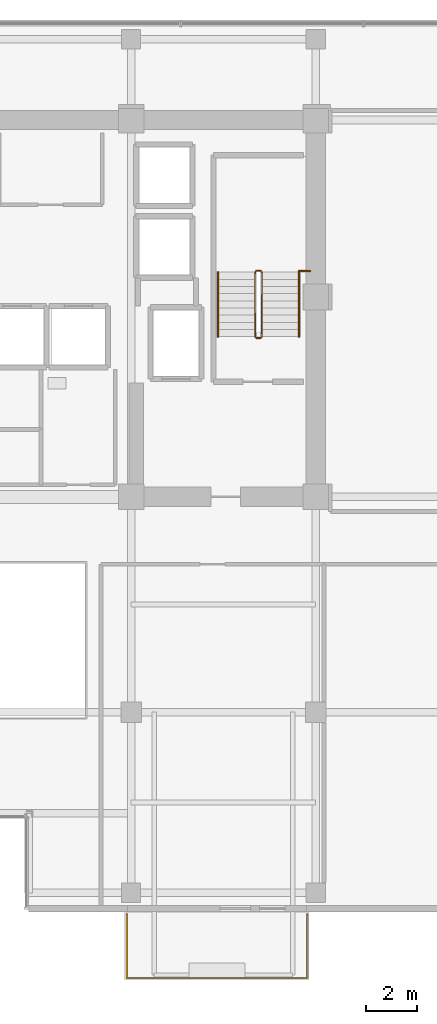
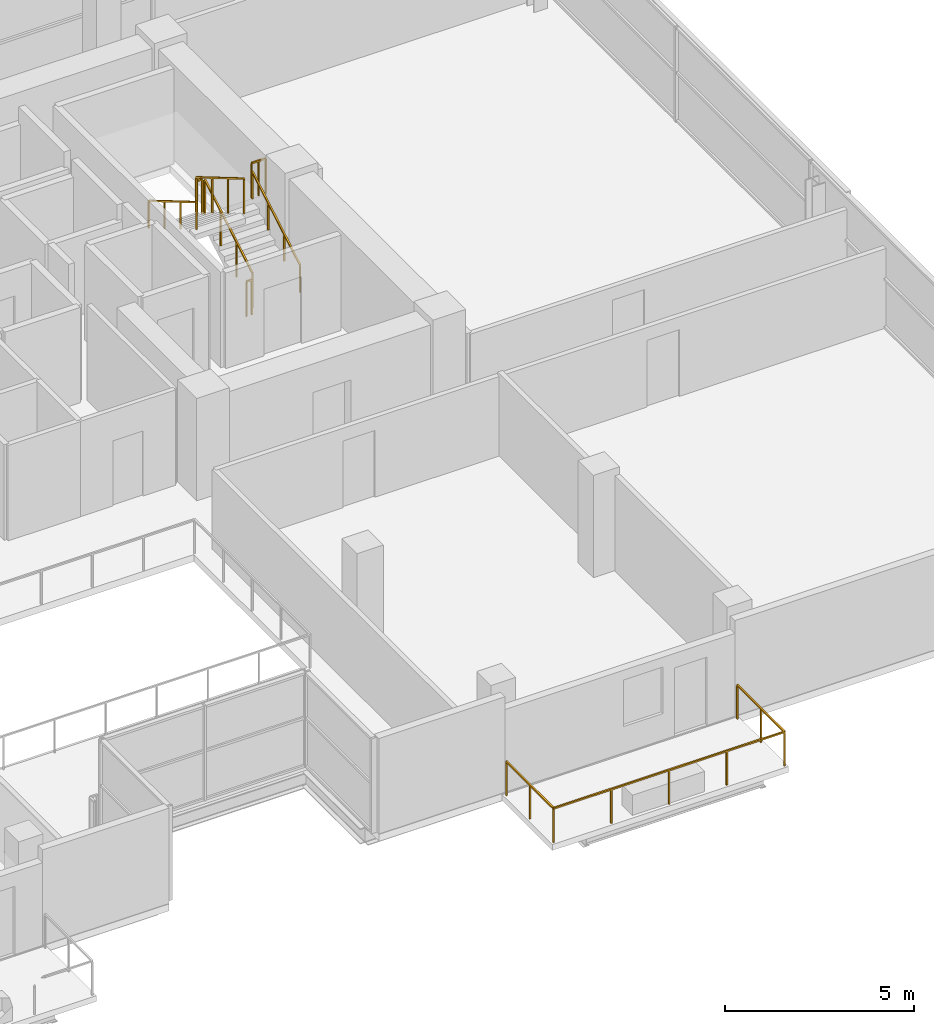
# One storey, part 21 of 22: 8 railings.
"""IFC4 building model written with IfcOpenShell, lengths in metres."""

from ifc_helpers import new_model, si_unit, direction, frame, origin, origin_2d, place, context, subcontext, project, spatial, rectangle, extrude, material, type_object, element, save


model = new_model("IFC4")

# Units and contexts
model_context = context("Model", 3, precision=1e-05, world=origin(), true_north=direction((0.0, 1.0)))
body_context = subcontext(model_context, "Body", "Model", "MODEL_VIEW")
ifc_project = project(units=[si_unit("LENGTHUNIT", "METRE"), si_unit("AREAUNIT", "SQUARE_METRE"), si_unit("VOLUMEUNIT", "CUBIC_METRE"), si_unit("PLANEANGLEUNIT", "RADIAN"), si_unit("MASSUNIT", "GRAM", prefix="KILO")], contexts=[model_context])

# Site, building, storey
site_placement = place(None, origin())
site = spatial("IfcSite", under=ifc_project, at=site_placement, CompositionType="ELEMENT")
building_placement = place(site_placement, origin())
building = spatial("IfcBuilding", under=site, at=building_placement, Name="Zarnakvel Exchange Tower", CompositionType="ELEMENT")
storey_placement = place(building_placement, frame((0.0, 0.0, 179.199951171875)))
storey = spatial("IfcBuildingStorey", under=building, at=storey_placement, Name="L50", CompositionType="ELEMENT", Elevation=179.199951171875)

# Railings
ifc_material_1 = material(Name="Architectural Bronze Anodised Aluminium", Category="aluminium")
railing_type_1 = type_object("IfcRailingType", Name="GR-02", PredefinedType="GUARDRAIL", material=ifc_material_1)
railing_1_placement = place(storey_placement, frame((7.030029296875, -17.47998046875, -0.034912109375)))
element("IfcRailing", 1, at=railing_1_placement, inside=storey, type_object=railing_type_1, Name="L50 Balcony Guardrail BAL-L50-SE", PredefinedType="GUARDRAIL", context=body_context, shape_type="SweptSolid", body=[
    extrude(rectangle(XDim=0.048095703125, YDim=0.048095703125, at=origin_2d()), frame((0.0, 0.0, 1.09619140625), z_axis=(0.0, -1.0, 0.0), x_axis=(1.0, 0.0, 0.0)), (0.0, 0.0, 1.0), 2.489990234375),
    extrude(rectangle(XDim=0.048095703125, YDim=0.048095703125, at=origin_2d()), frame((0.0, -2.489990234375, 1.09619140625), z_axis=(1.0, 0.0, 0.0), x_axis=(0.0, 1.0, 0.0)), (0.0, 0.0, 1.0), 7.0400390625),
    extrude(rectangle(XDim=0.048095703125, YDim=0.048095703125, at=origin_2d()), frame((7.0400390625, -2.489990234375, 1.09619140625), z_axis=(0.0, 1.0, 0.0), x_axis=(-1.0, 0.0, 0.0)), (0.0, 0.0, 1.0), 2.489990234375),
    extrude(rectangle(XDim=0.0419921875, YDim=0.0419921875, at=origin_2d()), origin(), (0.0, 0.0, 1.0), 1.072021484375),
    extrude(rectangle(XDim=0.0419921875, YDim=0.0419921875, at=origin_2d()), frame((0.0, -1.2451171875, 0.0)), (0.0, 0.0, 1.0), 1.072021484375),
    extrude(rectangle(XDim=0.0419921875, YDim=0.0419921875, at=origin_2d()), frame((0.0, -2.489990234375, 0.0)), (0.0, 0.0, 1.0), 1.072021484375),
    extrude(rectangle(XDim=0.0419921875, YDim=0.0419921875, at=origin_2d()), frame((1.760009765625, -2.489990234375, 0.0)), (0.0, 0.0, 1.0), 1.072021484375),
    extrude(rectangle(XDim=0.0419921875, YDim=0.0419921875, at=origin_2d()), frame((3.52001953125, -2.489990234375, 0.0)), (0.0, 0.0, 1.0), 1.072021484375),
    extrude(rectangle(XDim=0.0419921875, YDim=0.0419921875, at=origin_2d()), frame((5.280029296875, -2.489990234375, 0.0)), (0.0, 0.0, 1.0), 1.072021484375),
    extrude(rectangle(XDim=0.0419921875, YDim=0.0419921875, at=origin_2d()), frame((7.0400390625, -2.489990234375, 0.0)), (0.0, 0.0, 1.0), 1.072021484375),
    extrude(rectangle(XDim=0.0419921875, YDim=0.0419921875, at=origin_2d()), frame((7.0400390625, -1.2451171875, 0.0)), (0.0, 0.0, 1.0), 1.072021484375),
    extrude(rectangle(XDim=0.0419921875, YDim=0.0419921875, at=origin_2d()), frame((7.0400390625, 0.0, 0.0)), (0.0, 0.0, 1.0), 1.072021484375),
])
ifc_material_2 = material(Name="Brushed Stainless Steel", Category="steel")
railing_type_2 = type_object("IfcRailingType", Name="HR-01", PredefinedType="HANDRAIL", material=ifc_material_2)
railing_2_placement = place(storey_placement, frame((13.75, 5.050048828125, 0.1650390625)))
element("IfcRailing", 2, at=railing_2_placement, inside=storey, type_object=railing_type_2, Name="L50 ST-02 stair handrail 1", PredefinedType="HANDRAIL", context=body_context, shape_type="SweptSolid", body=[
    extrude(rectangle(XDim=0.048095703125, YDim=0.048095703125, at=origin_2d()), frame((0.0, 0.0, 0.8759765625), z_axis=(0.0, 0.86152411907, 0.507716645641), x_axis=(-1.0, 0.0, 0.0)), (0.0, 0.0, 1.0), 2.925048828125),
    extrude(rectangle(XDim=0.0419921875, YDim=0.0419921875, at=origin_2d()), origin(), (0.0, 0.0, 1.0), 0.851806640625),
    extrude(rectangle(XDim=0.0419921875, YDim=0.0419921875, at=origin_2d()), frame((0.0, 0.840087890625, 0.4951171875)), (0.0, 0.0, 1.0), 0.851806640625),
    extrude(rectangle(XDim=0.0419921875, YDim=0.0419921875, at=origin_2d()), frame((0.0, 1.679931640625, 0.989990234375)), (0.0, 0.0, 1.0), 0.851806640625),
    extrude(rectangle(XDim=0.0419921875, YDim=0.0419921875, at=origin_2d()), frame((0.0, 2.52001953125, 1.485107421875)), (0.0, 0.0, 1.0), 0.851806640625),
])
railing_3_placement = place(storey_placement, frame((10.590087890625, 7.570068359375, 1.81494140625)))
element("IfcRailing", 3, at=railing_3_placement, inside=storey, type_object=railing_type_2, Name="L50 ST-02 stair handrail 2", PredefinedType="HANDRAIL", context=body_context, shape_type="SweptSolid", body=[
    extrude(rectangle(XDim=0.048095703125, YDim=0.048095703125, at=origin_2d()), frame((0.0, 0.0, 0.8759765625), z_axis=(0.0, -0.86152411907, 0.507716645641), x_axis=(1.0, 0.0, 0.0)), (0.0, 0.0, 1.0), 2.925048828125),
    extrude(rectangle(XDim=0.0419921875, YDim=0.0419921875, at=origin_2d()), origin(), (0.0, 0.0, 1.0), 0.851806640625),
    extrude(rectangle(XDim=0.0419921875, YDim=0.0419921875, at=origin_2d()), frame((0.0, -0.840087890625, 0.4951171875)), (0.0, 0.0, 1.0), 0.851806640625),
    extrude(rectangle(XDim=0.0419921875, YDim=0.0419921875, at=origin_2d()), frame((0.0, -1.679931640625, 0.989990234375)), (0.0, 0.0, 1.0), 0.851806640625),
    extrude(rectangle(XDim=0.0419921875, YDim=0.0419921875, at=origin_2d()), frame((0.0, -2.52001953125, 1.485107421875)), (0.0, 0.0, 1.0), 0.851806640625),
])
railing_type_3 = type_object("IfcRailingType", Name="SG-01", PredefinedType="GUARDRAIL", material=ifc_material_1)
railing_4_placement = place(storey_placement, frame((12.300048828125, 5.050048828125, 0.1650390625)))
element("IfcRailing", 4, at=railing_4_placement, inside=storey, type_object=railing_type_3, Name="L50 ST-02 stair guard 1", PredefinedType="GUARDRAIL", context=body_context, shape_type="SweptSolid", body=[
    extrude(rectangle(XDim=0.048095703125, YDim=0.048095703125, at=origin_2d()), frame((0.0, 0.0, 1.1259765625), z_axis=(0.0, 0.86152411907, 0.507716645641), x_axis=(-1.0, 0.0, 0.0)), (0.0, 0.0, 1.0), 2.925048828125),
    extrude(rectangle(XDim=0.0419921875, YDim=0.0419921875, at=origin_2d()), origin(), (0.0, 0.0, 1.0), 1.101806640625),
    extrude(rectangle(XDim=0.0419921875, YDim=0.0419921875, at=origin_2d()), frame((0.0, 0.840087890625, 0.4951171875)), (0.0, 0.0, 1.0), 1.101806640625),
    extrude(rectangle(XDim=0.0419921875, YDim=0.0419921875, at=origin_2d()), frame((0.0, 1.679931640625, 0.989990234375)), (0.0, 0.0, 1.0), 1.101806640625),
    extrude(rectangle(XDim=0.0419921875, YDim=0.0419921875, at=origin_2d()), frame((0.0, 2.52001953125, 1.485107421875)), (0.0, 0.0, 1.0), 1.101806640625),
])
railing_5_placement = place(storey_placement, frame((12.25, 7.6201171875, 1.650146484375)))
element("IfcRailing", 5, at=railing_5_placement, inside=storey, type_object=railing_type_3, Name="L50 ST-02 stair guard 2", PredefinedType="GUARDRAIL", context=body_context, shape_type="SweptSolid", body=[
    extrude(rectangle(XDim=0.048095703125, YDim=0.048095703125, at=origin_2d()), frame((0.0, 0.0, 1.1259765625), z_axis=(-1.0, 0.0, 0.0), x_axis=(0.0, -1.0, 0.0)), (0.0, 0.0, 1.0), 0.159912109375),
    extrude(rectangle(XDim=0.0419921875, YDim=0.0419921875, at=origin_2d()), origin(), (0.0, 0.0, 1.0), 1.101806640625),
    extrude(rectangle(XDim=0.0419921875, YDim=0.0419921875, at=origin_2d()), frame((-0.159912109375, 0.0, 0.0)), (0.0, 0.0, 1.0), 1.101806640625),
])
railing_6_placement = place(storey_placement, frame((12.0400390625, 7.570068359375, 1.81494140625)))
element("IfcRailing", 6, at=railing_6_placement, inside=storey, type_object=railing_type_3, Name="L50 ST-02 stair guard 3", PredefinedType="GUARDRAIL", context=body_context, shape_type="SweptSolid", body=[
    extrude(rectangle(XDim=0.048095703125, YDim=0.048095703125, at=origin_2d()), frame((0.0, 0.0, 1.1259765625), z_axis=(0.0, -0.86152411907, 0.507716645641), x_axis=(1.0, 0.0, 0.0)), (0.0, 0.0, 1.0), 2.925048828125),
    extrude(rectangle(XDim=0.0419921875, YDim=0.0419921875, at=origin_2d()), origin(), (0.0, 0.0, 1.0), 1.101806640625),
    extrude(rectangle(XDim=0.0419921875, YDim=0.0419921875, at=origin_2d()), frame((0.0, -0.840087890625, 0.4951171875)), (0.0, 0.0, 1.0), 1.101806640625),
    extrude(rectangle(XDim=0.0419921875, YDim=0.0419921875, at=origin_2d()), frame((0.0, -1.679931640625, 0.989990234375)), (0.0, 0.0, 1.0), 1.101806640625),
    extrude(rectangle(XDim=0.0419921875, YDim=0.0419921875, at=origin_2d()), frame((0.0, -2.52001953125, 1.485107421875)), (0.0, 0.0, 1.0), 1.101806640625),
])
railing_7_placement = place(storey_placement, frame((12.25, 5.0, 0.0)))
element("IfcRailing", 7, at=railing_7_placement, inside=storey, type_object=railing_type_3, Name="L50 ST-02 stair guard 4", PredefinedType="GUARDRAIL", context=body_context, shape_type="SweptSolid", body=[
    extrude(rectangle(XDim=0.048095703125, YDim=0.048095703125, at=origin_2d()), frame((0.0, 0.0, 1.1259765625), z_axis=(-1.0, 0.0, 0.0), x_axis=(0.0, -1.0, 0.0)), (0.0, 0.0, 1.0), 0.159912109375),
    extrude(rectangle(XDim=0.0419921875, YDim=0.0419921875, at=origin_2d()), origin(), (0.0, 0.0, 1.0), 1.101806640625),
    extrude(rectangle(XDim=0.0419921875, YDim=0.0419921875, at=origin_2d()), frame((-0.159912109375, 0.0, 0.0)), (0.0, 0.0, 1.0), 1.101806640625),
])
railing_8_placement = place(storey_placement, frame((13.75, 7.610107421875, 1.650146484375)))
element("IfcRailing", 8, at=railing_8_placement, inside=storey, type_object=railing_type_3, Name="L50 ST-02 Landing Slot Guardrail", PredefinedType="GUARDRAIL", context=body_context, shape_type="SweptSolid", body=[
    extrude(rectangle(XDim=0.048095703125, YDim=0.048095703125, at=origin_2d()), frame((0.0, 0.0, 1.1259765625), z_axis=(1.0, 0.0, 0.0), x_axis=(0.0, 1.0, 0.0)), (0.0, 0.0, 1.0), 0.429931640625),
    extrude(rectangle(XDim=0.0419921875, YDim=0.0419921875, at=origin_2d()), origin(), (0.0, 0.0, 1.0), 1.101806640625),
    extrude(rectangle(XDim=0.0419921875, YDim=0.0419921875, at=origin_2d()), frame((0.21484375, 0.0, 0.0)), (0.0, 0.0, 1.0), 1.101806640625),
    extrude(rectangle(XDim=0.0419921875, YDim=0.0419921875, at=origin_2d()), frame((0.429931640625, 0.0, 0.0)), (0.0, 0.0, 1.0), 1.101806640625),
])

save(model, "model.ifc")
